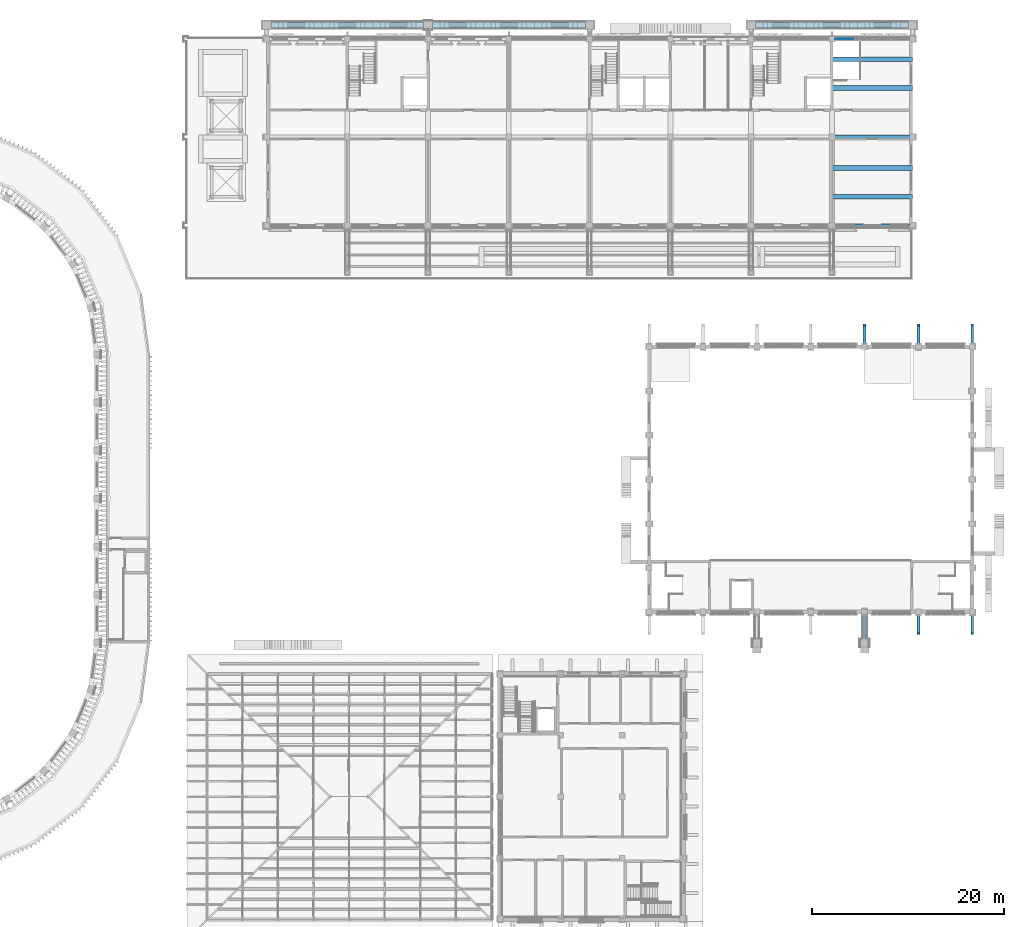
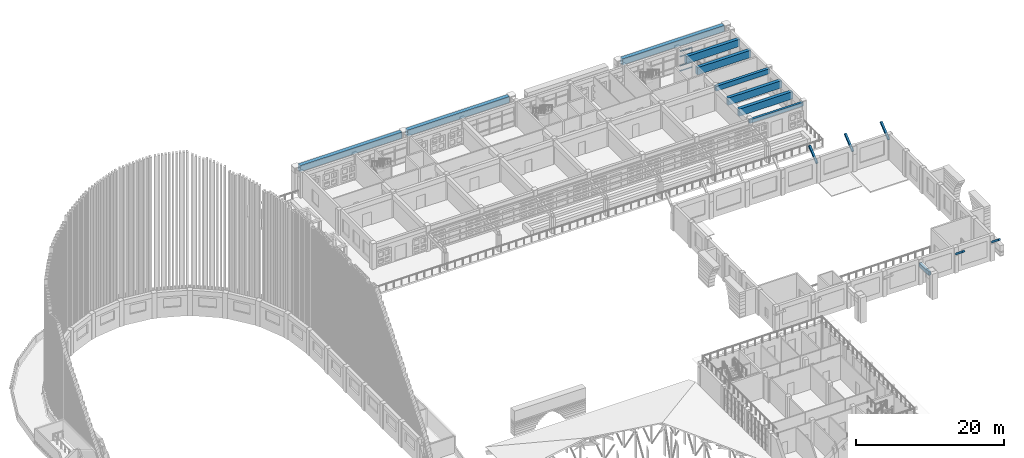
# One storey, part 14 of 68: 10 beams, 9 members, 1 element without a shape of its own.
"""IFC4 building model written with IfcOpenShell, lengths in metres."""

from ifc_helpers import new_model, si_unit, direction, frame, origin, origin_2d, place, context, subcontext, project, spatial, rectangle, extrude, material, layer, layer_set, material_profile, profile_set, type_object, element, aggregate, save


model = new_model("IFC4")

# Units and contexts
model_context = context("Model", 3, precision=1e-05, world=origin(), true_north=direction((0.0, 1.0)))
body_context = subcontext(model_context, "Body", "Model", "MODEL_VIEW")
ifc_project = project(units=[si_unit("LENGTHUNIT", "METRE"), si_unit("AREAUNIT", "SQUARE_METRE"), si_unit("VOLUMEUNIT", "CUBIC_METRE"), si_unit("PLANEANGLEUNIT", "RADIAN"), si_unit("MASSUNIT", "GRAM", prefix="KILO")], contexts=[model_context])

# Site, building, storey
site_placement = place(None, origin())
site = spatial("IfcSite", under=ifc_project, at=site_placement, CompositionType="ELEMENT")
building_placement = place(site_placement, origin())
building = spatial("IfcBuilding", under=site, at=building_placement, Name="Wasatch Bagh Community Centre", CompositionType="ELEMENT")
storey_placement = place(building_placement, frame((0.0, 0.0, 8.39990234375)))
storey = spatial("IfcBuildingStorey", under=building, at=storey_placement, Name="L02", CompositionType="ELEMENT", Elevation=8.39990234375)

# Members
ifc_material_1 = material(Name="Concrete C35", Category="concrete")
ifc_material_profile_1 = material_profile(ifc_material_1, rectangle(XDim=0.300048828125, YDim=0.300048828125, at=origin_2d()), Name="RC 300x300")
ifc_profile_set_1 = profile_set([ifc_material_profile_1], Name="Concrete C35")
member_type_1 = type_object("IfcMemberType", Name="CH-B1", PredefinedType="MEMBER", material=ifc_profile_set_1)
for number, where, z_axis, x_axis, name in (
    (1, (134.60009765625, 65.949951171875, 3.0), (0.0, 0.774486545129, 0.632590382013), (-1.0, 0.0, 0.0), "CH-B1 eave bracket SH N 134.6"),
    (2, (140.199951171875, 38.050048828125, 3.0), (0.0, -0.774486545129, 0.632590382013), (1.0, 0.0, 0.0), "CH-B1 eave bracket SH S 140.2"),
    (3, (140.199951171875, 65.949951171875, 3.0), (0.0, 0.774486545129, 0.632590382013), (-1.0, 0.0, 0.0), "CH-B1 eave bracket SH N 140.2"),
    (4, (145.800048828125, 38.050048828125, 3.0), (0.0, -0.774486545129, 0.632590382013), (1.0, 0.0, 0.0), "CH-B1 eave bracket SH S 145.8"),
    (5, (145.800048828125, 65.949951171875, 3.0), (0.0, 0.774486545129, 0.632590382013), (-1.0, 0.0, 0.0), "CH-B1 eave bracket SH N 145.8"),
):
    element("IfcMember", number, at=place(storey_placement, frame(where, z_axis=z_axis, x_axis=x_axis)), inside=storey, type_object=member_type_1, Name=name, PredefinedType="MEMBER", context=body_context, shape_type="SweptSolid", body=[
        extrude(rectangle(XDim=0.300048828125, YDim=0.300048828125, at=origin_2d()), origin(), (0.0, 0.0, 1.0), 2.711669921875),
    ])

# Beams
ifc_material_profile_2 = material_profile(ifc_material_1, rectangle(XDim=0.35009765625, YDim=0.60009765625, at=origin_2d()), Name="RC 350x600")
ifc_profile_set_2 = profile_set([ifc_material_profile_2], Name="Concrete C35")
beam_type_1 = type_object("IfcBeamType", Name="CL-B4", PredefinedType="BEAM", material=ifc_profile_set_2)
beam_1_placement = place(storey_placement, frame((134.60009765625, 38.0, 3.300048828125), z_axis=(0.0, -1.0, 0.0), x_axis=(1.0, 0.0, 0.0)))
element("IfcBeam", 6, at=beam_1_placement, inside=storey, type_object=beam_type_1, Name="CL-B4 tie SHP2.3", PredefinedType="BEAM", context=body_context, shape_type="SweptSolid", body=[
    extrude(rectangle(XDim=0.35009765625, YDim=0.60009765625, at=origin_2d()), origin(), (0.0, 0.0, 1.0), 2.550048828125),
])
ifc_material_profile_3 = material_profile(ifc_material_1, rectangle(XDim=0.60009765625, YDim=1.0, at=origin_2d()), Name="RC 600x1000")
ifc_profile_set_3 = profile_set([ifc_material_profile_3], Name="Concrete C35")
beam_type_2 = type_object("IfcBeamType", Name="CL-B5", PredefinedType="BEAM", material=ifc_profile_set_3)
beam_2_placement = place(storey_placement, frame((72.85009765625, 99.25, 3.7001953125), z_axis=(1.0, 0.0, 0.0), x_axis=(0.0, 1.0, 0.0)))
element("IfcBeam", 7, at=beam_2_placement, inside=storey, type_object=beam_type_2, Name="CL-B5 head beam LW B1", PredefinedType="BEAM", context=body_context, shape_type="SweptSolid", body=[
    extrude(rectangle(XDim=0.60009765625, YDim=1.0, at=origin_2d()), origin(), (0.0, 0.0, 1.0), 15.89990234375),
])
beam_3_placement = place(storey_placement, frame((89.64990234375, 99.25, 3.7001953125), z_axis=(1.0, 0.0, 0.0), x_axis=(0.0, 1.0, 0.0)))
element("IfcBeam", 8, at=beam_3_placement, inside=storey, type_object=beam_type_2, Name="CL-B5 head beam LW B2", PredefinedType="BEAM", context=body_context, shape_type="SweptSolid", body=[
    extrude(rectangle(XDim=0.60009765625, YDim=1.0, at=origin_2d()), origin(), (0.0, 0.0, 1.0), 15.900146484375),
])
beam_4_placement = place(storey_placement, frame((123.25, 99.25, 3.7001953125), z_axis=(1.0, 0.0, 0.0), x_axis=(0.0, 1.0, 0.0)))
element("IfcBeam", 9, at=beam_4_placement, inside=storey, type_object=beam_type_2, Name="CL-B5 head beam LW B4", PredefinedType="BEAM", context=body_context, shape_type="SweptSolid", body=[
    extrude(rectangle(XDim=0.60009765625, YDim=1.0, at=origin_2d()), origin(), (0.0, 0.0, 1.0), 15.89990234375),
])
ifc_material_profile_4 = material_profile(ifc_material_1, rectangle(XDim=0.35009765625, YDim=0.60009765625, at=origin_2d()), Name="RC 350x600")
ifc_profile_set_4 = profile_set([ifc_material_profile_4], Name="Concrete C35")
beam_type_3 = type_object("IfcBeamType", Name="LW RC 350x600", PredefinedType="BEAM", material=ifc_profile_set_4)
beam_5_placement = place(storey_placement, frame((131.199951171875, 78.39990234375, 3.6201171875), z_axis=(1.0, 0.0, 0.0), x_axis=(0.0, 1.0, 0.0)))
element("IfcBeam", 10, at=beam_5_placement, inside=storey, type_object=beam_type_3, Name="W9-W10S", PredefinedType="BEAM", context=body_context, shape_type="SweptSolid", body=[
    extrude(rectangle(XDim=0.35009765625, YDim=0.60009765625, at=origin_2d()), origin(), (0.0, 0.0, 1.0), 8.400146484375),
])
ifc_material_profile_5 = material_profile(ifc_material_1, rectangle(XDim=0.449951171875, YDim=0.800048828125, at=origin_2d()), Name="RC 450x800")
ifc_profile_set_5 = profile_set([ifc_material_profile_5], Name="Concrete C35")
beam_type_4 = type_object("IfcBeamType", Name="LW RC 450x800", PredefinedType="BEAM", material=ifc_profile_set_5)
beam_6_placement = place(storey_placement, frame((131.199951171875, 87.60009765625, 3.52001953125), z_axis=(1.0, 0.0, 0.0), x_axis=(0.0, 1.0, 0.0)))
element("IfcBeam", 11, at=beam_6_placement, inside=storey, type_object=beam_type_4, Name="W9-W10M", PredefinedType="BEAM", context=body_context, shape_type="SweptSolid", body=[
    extrude(rectangle(XDim=0.449951171875, YDim=0.800048828125, at=origin_2d()), origin(), (0.0, 0.0, 1.0), 8.400146484375),
])

# Curtain wall, members
ifc_material_2 = material(Name="Aluminium curtain wall frame with low-iron glass", Category="aluminium")
ifc_layer = layer(ifc_material_2, 0.10009765625)
ifc_layer_set = layer_set([ifc_layer], Name="Aluminium curtain wall frame with low-iron glass")
curtain_wall_type = type_object("IfcCurtainWallType", Name="LW curtain wall 100", PredefinedType="NOTDEFINED", material=ifc_layer_set)
curtain_wall_placement = place(storey_placement, origin())
curtain_wall = element("IfcCurtainWall", 12, at=curtain_wall_placement, inside=storey, type_object=curtain_wall_type, Name="Curtain wall 02.05", PredefinedType="NOTDEFINED")
ifc_material_3 = material(Name="Aluminium extrusion", Category="aluminium")
ifc_material_profile_6 = material_profile(ifc_material_3, rectangle(XDim=0.06005859375, YDim=0.1201171875, at=origin_2d()), Name="AL 60x120")
ifc_profile_set_6 = profile_set([ifc_material_profile_6], Name="Aluminium extrusion")
member_type_2 = type_object("IfcMemberType", Name="LW curtain wall transom 60x120", PredefinedType="USERDEFINED", material=ifc_profile_set_6)
member_1_placement = place(storey_placement, frame((131.56005859375, 97.800048828125, 0.030029296875), z_axis=(1.0, 0.0, 0.0), x_axis=(0.0, 1.0, 0.0)))
member_1 = element("IfcMember", 13, at=member_1_placement, type_object=member_type_2, Name="LW-CW1 transom 1.1", ObjectType="TRANSOM", PredefinedType="USERDEFINED", context=body_context, shape_type="SweptSolid", body=[
    extrude(rectangle(XDim=0.06005859375, YDim=0.1201171875, at=origin_2d()), origin(), (0.0, 0.0, 1.0), 1.85986328125),
])
member_2_placement = place(storey_placement, frame((131.56005859375, 97.800048828125, 0.900146484375), z_axis=(1.0, 0.0, 0.0), x_axis=(0.0, 1.0, 0.0)))
member_2 = element("IfcMember", 14, at=member_2_placement, type_object=member_type_2, Name="LW-CW1 transom 1.2", ObjectType="TRANSOM", PredefinedType="USERDEFINED", context=body_context, shape_type="SweptSolid", body=[
    extrude(rectangle(XDim=0.06005859375, YDim=0.1201171875, at=origin_2d()), origin(), (0.0, 0.0, 1.0), 1.85986328125),
])
member_3_placement = place(storey_placement, frame((131.56005859375, 97.800048828125, 2.400146484375), z_axis=(1.0, 0.0, 0.0), x_axis=(0.0, 1.0, 0.0)))
member_3 = element("IfcMember", 15, at=member_3_placement, type_object=member_type_2, Name="LW-CW1 transom 1.3", ObjectType="TRANSOM", PredefinedType="USERDEFINED", context=body_context, shape_type="SweptSolid", body=[
    extrude(rectangle(XDim=0.06005859375, YDim=0.1201171875, at=origin_2d()), origin(), (0.0, 0.0, 1.0), 1.85986328125),
])
member_4_placement = place(storey_placement, frame((131.56005859375, 97.800048828125, 3.2900390625), z_axis=(1.0, 0.0, 0.0), x_axis=(0.0, 1.0, 0.0)))
member_4 = element("IfcMember", 16, at=member_4_placement, type_object=member_type_2, Name="LW-CW1 transom 1.4", ObjectType="TRANSOM", PredefinedType="USERDEFINED", context=body_context, shape_type="SweptSolid", body=[
    extrude(rectangle(XDim=0.06005859375, YDim=0.1201171875, at=origin_2d()), origin(), (0.0, 0.0, 1.0), 1.85986328125),
])
aggregate(curtain_wall, [member_1, member_2, member_3, member_4])

# Beams
ifc_material_profile_7 = material_profile(ifc_material_1, rectangle(XDim=0.5, YDim=1.199951171875, at=origin_2d()), Name="RC 500x1200")
ifc_profile_set_7 = profile_set([ifc_material_profile_7], Name="Concrete C35")
beam_type_5 = type_object("IfcBeamType", Name="LW pavilion transfer beam 500x1200", PredefinedType="BEAM", material=ifc_profile_set_7)
for number, where, z_axis, x_axis, name in (
    (17, (131.199951171875, 81.39990234375, 3.320068359375), (1.0, 0.0, 0.0), (0.0, 1.0, 0.0), "Pavilion 3 support beam"),
    (18, (131.199951171875, 84.39990234375, 3.320068359375), (1.0, 0.0, 0.0), (0.0, 1.0, 0.0), "Pavilion 3 support beam"),
    (19, (131.199951171875, 92.699951171875, 3.320068359375), (1.0, 0.0, 0.0), (0.0, 1.0, 0.0), "Pavilion 4 support beam"),
    (20, (131.199951171875, 95.699951171875, 3.320068359375), (1.0, 0.0, 0.0), (0.0, 1.0, 0.0), "Pavilion 4 support beam"),
):
    element("IfcBeam", number, at=place(storey_placement, frame(where, z_axis=z_axis, x_axis=x_axis)), inside=storey, type_object=beam_type_5, Name=name, PredefinedType="BEAM", context=body_context, shape_type="SweptSolid", body=[
        extrude(rectangle(XDim=0.5, YDim=1.199951171875, at=origin_2d()), origin(), (0.0, 0.0, 1.0), 8.400146484375),
    ])

save(model, "model.ifc")
